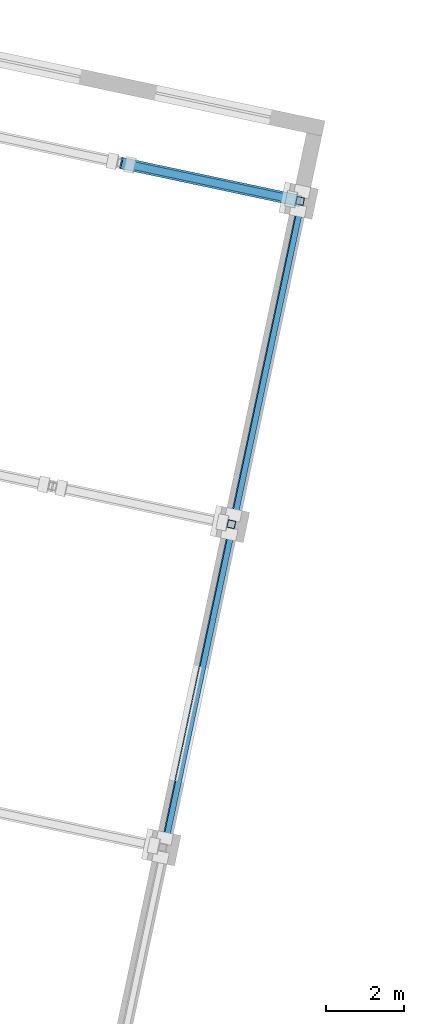
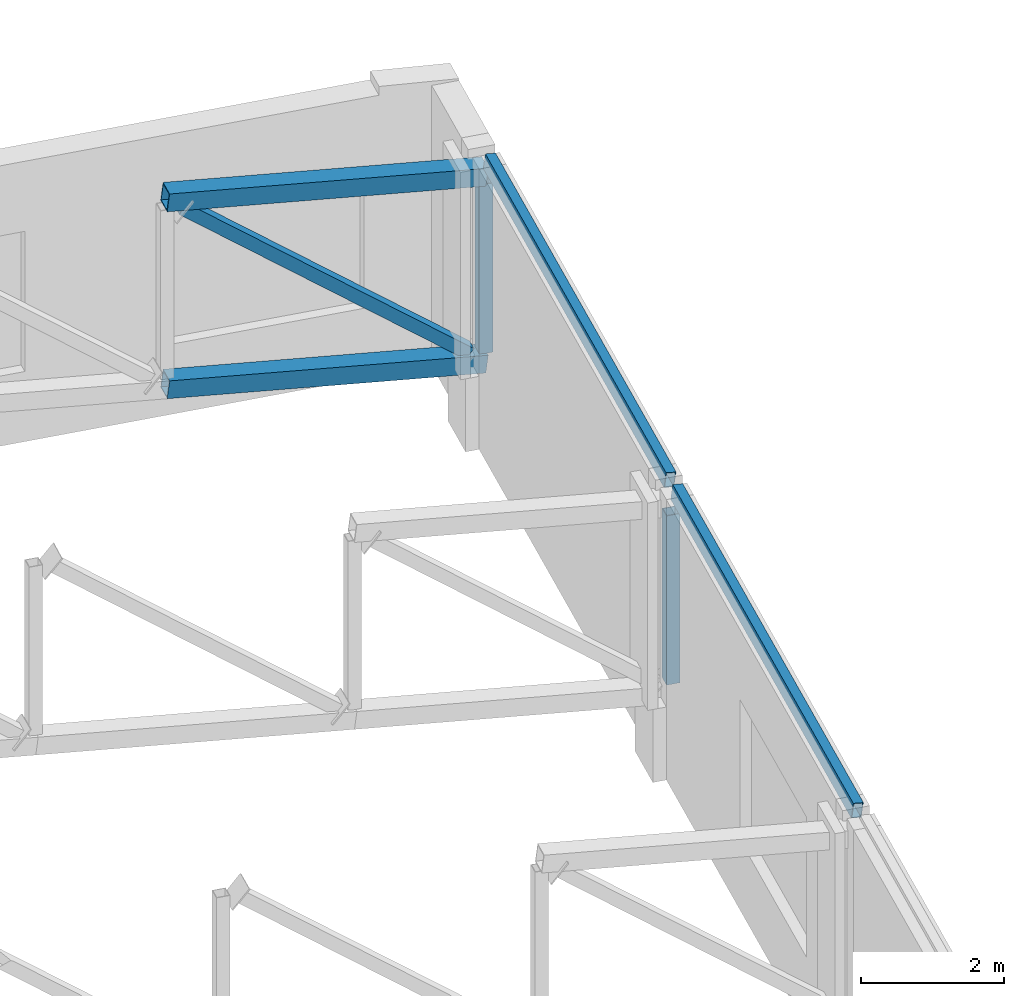
# One storey, part 93 of 182: 7 members.
"""IFC4 building model written with IfcOpenShell, lengths in metres."""

from ifc_helpers import new_model, si_unit, direction, frame, origin, origin_2d, place, context, subcontext, project, spatial, hollow_rectangle, extrude, material, material_profile, profile_set, type_object, element, save


model = new_model("IFC4")

# Units and contexts
model_context = context("Model", 3, precision=1e-05, world=origin(), true_north=direction((0.0, 1.0)))
body_context = subcontext(model_context, "Body", "Model", "MODEL_VIEW")
ifc_project = project(units=[si_unit("LENGTHUNIT", "METRE"), si_unit("AREAUNIT", "SQUARE_METRE"), si_unit("VOLUMEUNIT", "CUBIC_METRE"), si_unit("PLANEANGLEUNIT", "RADIAN"), si_unit("MASSUNIT", "GRAM", prefix="KILO")], contexts=[model_context])

# Site, building, storey
site_placement = place(None, origin())
site = spatial("IfcSite", under=ifc_project, at=site_placement, CompositionType="ELEMENT")
building_placement = place(site_placement, origin())
building = spatial("IfcBuilding", under=site, at=building_placement, Name="Okhra Congress Centre", CompositionType="ELEMENT")
storey_placement = place(building_placement, frame((0.0, 0.0, 7.199951171875)))
storey = spatial("IfcBuildingStorey", under=building, at=storey_placement, Name="L01", CompositionType="ELEMENT", Elevation=7.199951171875)

# Members
ifc_material = material(Name="Steel S355J2", Category="steel")
ifc_material_profile_1 = material_profile(ifc_material, hollow_rectangle(XDim=0.14990234375, YDim=0.25, WallThickness=0.008056640625, at=origin_2d()), Name="RHS 250x150x8")
ifc_profile_set_1 = profile_set([ifc_material_profile_1], Name="Steel S355J2")
member_type_1 = type_object("IfcMemberType", Name="Steel roof purlin RHS 250x150x8", PredefinedType="PURLIN", material=ifc_profile_set_1)
for number, where, z_axis, x_axis, name in (
    (1, (260.48291015625, 109.030517578125, 4.722900390625), (0.207908251916, 0.978148331689, 0.0), (-0.970857362352, 0.206358535333, 0.121869343405), "Roof purlin 4.27"),
    (2, (262.250244140625, 117.3447265625, 4.722900390625), (0.207908251916, 0.978148331689, 0.0), (-0.970857362352, 0.206358535333, 0.121869343405), "Roof purlin 5.27"),
):
    element("IfcMember", number, at=place(storey_placement, frame(where, z_axis=z_axis, x_axis=x_axis)), inside=storey, type_object=member_type_1, Name=name, PredefinedType="PURLIN", context=body_context, shape_type="SweptSolid", body=[
        extrude(hollow_rectangle(XDim=0.14990234375, YDim=0.25, WallThickness=0.008056640625, at=origin_2d()), origin(), (0.0, 0.0, 1.0), 8.199951171875),
    ])
ifc_material_profile_2 = material_profile(ifc_material, hollow_rectangle(XDim=0.300048828125, YDim=0.300048828125, WallThickness=0.01611328125, at=origin_2d()), Name="RHS 300x300x16")
ifc_profile_set_2 = profile_set([ifc_material_profile_2], Name="Steel S355J2")
member_type_2 = type_object("IfcMemberType", Name="Steel truss chord RHS 300x300x16", PredefinedType="CHORD", material=ifc_profile_set_2)
for number, where, z_axis, x_axis, name in (
    (3, (259.356201171875, 126.49658203125, 1.8271484375), (0.970848933654, -0.206389181169, -0.121884592627), (0.207939520185, 0.978141685005, 0.0), "Hall truss 6 bottom chord 12"),
    (4, (259.356201171875, 126.49658203125, 5.027099609375), (0.970848933654, -0.206389181169, -0.121884592627), (0.207939520185, 0.978141685005, 0.0), "Hall truss 6 top chord 12"),
):
    element("IfcMember", number, at=place(storey_placement, frame(where, z_axis=z_axis, x_axis=x_axis)), inside=storey, type_object=member_type_2, Name=name, PredefinedType="CHORD", context=body_context, shape_type="SweptSolid", body=[
        extrude(hollow_rectangle(XDim=0.300048828125, YDim=0.300048828125, WallThickness=0.01611328125, at=origin_2d()), origin(), (0.0, 0.0, 1.0), 4.735107421875),
    ])
ifc_material_profile_3 = material_profile(ifc_material, hollow_rectangle(XDim=0.199951171875, YDim=0.199951171875, WallThickness=0.010009765625, at=origin_2d()), Name="RHS 200x200x10 diagonal")
ifc_profile_set_3 = profile_set([ifc_material_profile_3], Name="Steel S355J2")
member_type_3 = type_object("IfcMemberType", Name="Steel truss diagonal RHS 200x200x10", PredefinedType="BRACE", material=ifc_profile_set_3)
member_placement = place(storey_placement, frame((259.58984375, 126.44677734375, 4.835205078125), z_axis=(0.762448811516, -0.162081220514, -0.626419578059), x_axis=(0.207933444311, 0.978142976633, 0.0)))
element("IfcMember", 5, at=member_placement, inside=storey, type_object=member_type_3, Name="Hall truss 6 diagonal 12", PredefinedType="BRACE", context=body_context, shape_type="SweptSolid", body=[
    extrude(hollow_rectangle(XDim=0.199951171875, YDim=0.199951171875, WallThickness=0.010009765625, at=origin_2d()), origin(), (0.0, 0.0, 1.0), 5.41650390625),
])
ifc_material_profile_4 = material_profile(ifc_material, hollow_rectangle(XDim=0.199951171875, YDim=0.199951171875, WallThickness=0.010009765625, at=origin_2d()), Name="RHS 200x200x10")
ifc_profile_set_4 = profile_set([ifc_material_profile_4], Name="Steel S355J2")
member_type_4 = type_object("IfcMemberType", Name="Steel truss post RHS 200x200x10", PredefinedType="POST", material=ifc_profile_set_4)
for number, where, z_axis, x_axis, name in (
    (6, (262.186279296875, 117.205078125, 1.401123046875), (0.0, 0.0, 1.0), (0.978147600734, -0.207911690818, 0.0), "Hall truss 5 post 13"),
    (7, (263.953369140625, 125.519287109375, 1.401123046875), (0.0, 0.0, 1.0), (0.978147600734, -0.207911690818, 0.0), "Hall truss 6 post 13"),
):
    element("IfcMember", number, at=place(storey_placement, frame(where, z_axis=z_axis, x_axis=x_axis)), inside=storey, type_object=member_type_4, Name=name, PredefinedType="POST", context=body_context, shape_type="SweptSolid", body=[
        extrude(hollow_rectangle(XDim=0.199951171875, YDim=0.199951171875, WallThickness=0.010009765625, at=origin_2d()), origin(), (0.0, 0.0, 1.0), 2.897705078125),
    ])

save(model, "model.ifc")
